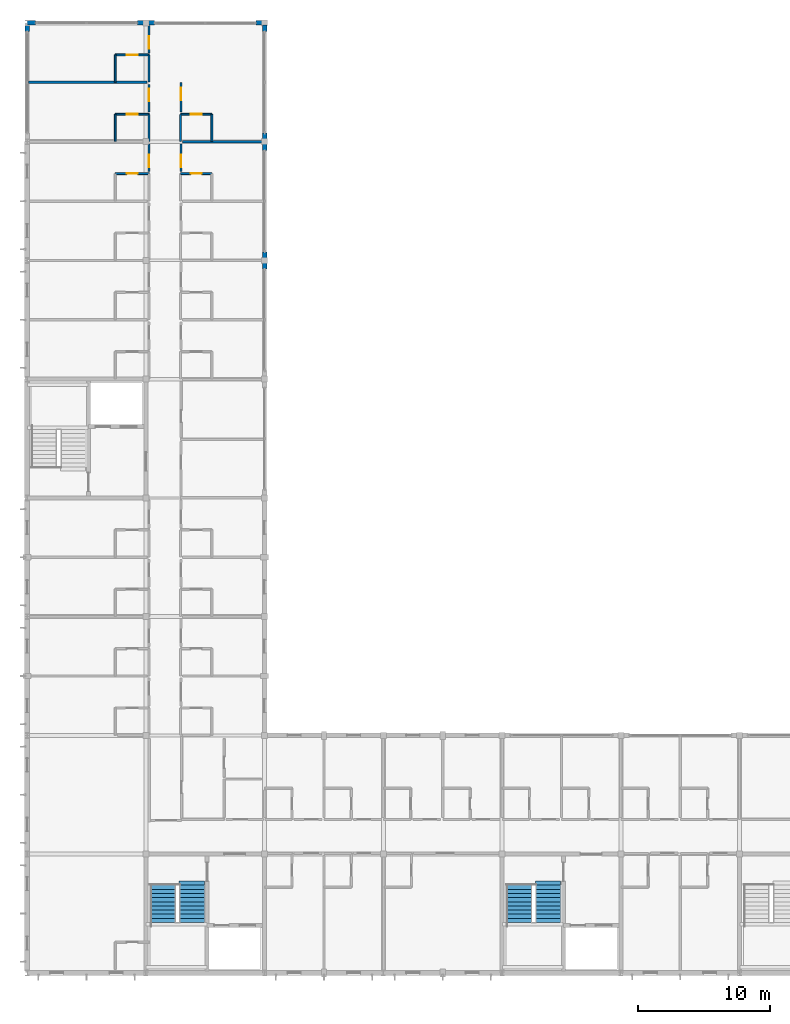
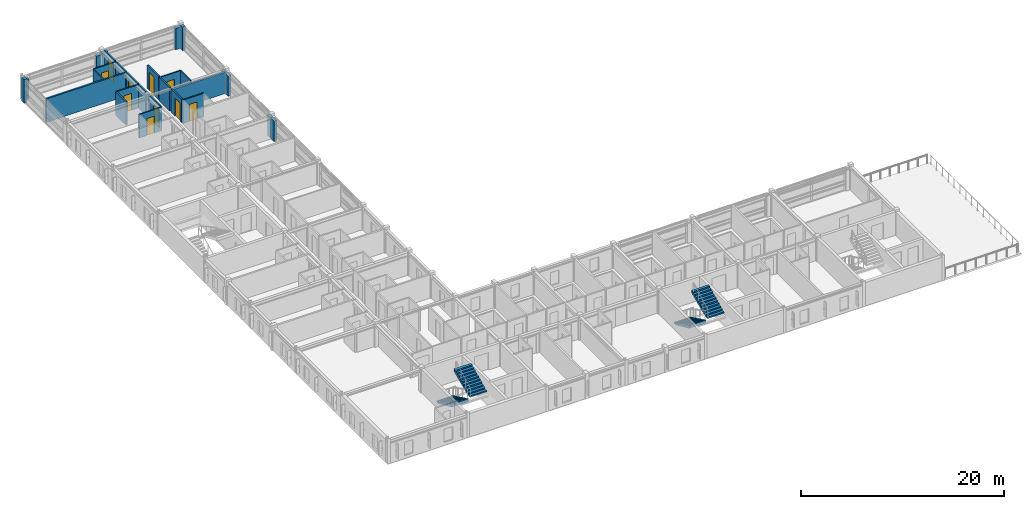
# One storey, part 16 of 24: 28 walls, 10 doors, 4 stair flights, 10 openings, 2 elements without a shape of their own.
"""IFC4 building model written with IfcOpenShell, lengths in metres."""

from ifc_helpers import new_model, si_unit, direction, frame, frame_2d, origin, place, context, subcontext, project, spatial, polyline, rectangle, outline, extrude, material, layer, layer_set, type_object, element, fill, aggregate, save


model = new_model("IFC4")

# Units and contexts
model_context = context("Model", 3, precision=1e-05, world=origin(), true_north=direction((0.0, 1.0)))
body_context = subcontext(model_context, "Body", "Model", "MODEL_VIEW")
ifc_project = project(units=[si_unit("LENGTHUNIT", "METRE"), si_unit("AREAUNIT", "SQUARE_METRE"), si_unit("VOLUMEUNIT", "CUBIC_METRE"), si_unit("PLANEANGLEUNIT", "RADIAN"), si_unit("MASSUNIT", "GRAM", prefix="KILO")], contexts=[model_context])

# Site, building, storey
site_placement = place(None, origin())
site = spatial("IfcSite", under=ifc_project, at=site_placement, CompositionType="ELEMENT")
building_placement = place(site_placement, origin())
building = spatial("IfcBuilding", under=site, at=building_placement, Name="Palais des Congres Ocreval", CompositionType="ELEMENT")
storey_placement = place(building_placement, frame((0.0, 0.0, 17.60009765625)))
storey = spatial("IfcBuildingStorey", under=building, at=storey_placement, Name="L05", CompositionType="ELEMENT", Elevation=17.60009765625)

# Wall, opening, door
ifc_material_1 = material(Name="Moisture-resistant gypsum board")
ifc_layer_1 = layer(ifc_material_1, 0.139892578125)
ifc_layer_set_1 = layer_set([ifc_layer_1], Name="Bathroom Plumbing Chase Wall 140 Gypsum (Moisture-resistant gypsum board)")
wall_type_1 = type_object("IfcWallType", Name="Bathroom Plumbing Chase Wall 140 Gypsum", PredefinedType="PLUMBINGWALL", material=ifc_layer_set_1)
wall_1_placement = place(storey_placement, frame((6.679931640625, 60.580078125, 0.0), z_axis=(0.0, 0.0, 1.0), x_axis=(1.0, 0.0, 0.0)))
wall_1 = element("IfcWall", 1, at=wall_1_placement, inside=storey, type_object=wall_type_1, Name="Bathroom Plumbing Wall PW03 L05", PredefinedType="PLUMBINGWALL", context=body_context, shape_type="SweptSolid", body=[
    extrude(rectangle(XDim=2.56005859375, YDim=0.139892578125, at=frame_2d((1.280029296875, 0.0))), origin(), (0.0, 0.0, 1.0), 2.81982421875),
])
opening_1_placement = place(wall_1_placement, frame((0.85498046875, 0.0, 0.0)))
opening_1 = element("IfcOpeningElement", 2, at=opening_1_placement, cuts=wall_1, Name="Opening D08", PredefinedType="OPENING", context=body_context, shape_type="SweptSolid", body=[
    extrude(rectangle(XDim=0.85009765625, YDim=2.0400390625, at=frame_2d((0.425048828125, 1.02001953125))), frame((0.0, 0.079833984375, 0.0), z_axis=(0.0, -1.0, 0.0), x_axis=(1.0, 0.0, 0.0)), (0.0, 0.0, 1.0), 0.159912109375),
])
ifc_material_2 = material(Name="Solid French oak", Category="wood")
door_type_1 = type_object("IfcDoorType", Name="En-Suite Bathroom Door 850x2040", OperationType="NOTDEFINED", PredefinedType="DOOR", material=ifc_material_2)
door_1_placement = place(opening_1_placement, origin())
door_1 = element("IfcDoor", 3, at=door_1_placement, inside=storey, type_object=door_type_1, Name="En-Suite Bathroom Door D08 L05", OperationType="SINGLE_SWING_RIGHT", OverallHeight=2.0400390625, OverallWidth=0.85009765625, PredefinedType="DOOR", context=body_context, shape_type="SweptSolid", body=[
    extrude(rectangle(XDim=0.85009765625, YDim=2.0400390625, at=frame_2d((0.425048828125, 1.02001953125))), frame((0.0, 0.02490234375, 0.0), z_axis=(0.0, -1.0, 0.0), x_axis=(1.0, 0.0, 0.0)), (0.0, 0.0, 1.0), 0.050048828125),
])
fill(opening_1, door_1)

wall_2_placement = place(storey_placement, frame((11.639892578125, 60.580078125, 0.0), z_axis=(0.0, 0.0, 1.0), x_axis=(1.0, 0.0, 0.0)))
wall_2 = element("IfcWall", 4, at=wall_2_placement, inside=storey, type_object=wall_type_1, Name="Bathroom Plumbing Wall PW03 L05", PredefinedType="PLUMBINGWALL", context=body_context, shape_type="SweptSolid", body=[
    extrude(rectangle(XDim=2.360107421875, YDim=0.139892578125, at=frame_2d((1.18017578125, 0.0))), origin(), (0.0, 0.0, 1.0), 2.81982421875),
])
opening_2_placement = place(wall_2_placement, frame((0.7548828125, 0.0, 0.0)))
opening_2 = element("IfcOpeningElement", 5, at=opening_2_placement, cuts=wall_2, Name="Opening D08", PredefinedType="OPENING", context=body_context, shape_type="SweptSolid", body=[
    extrude(rectangle(XDim=0.85009765625, YDim=2.0400390625, at=frame_2d((0.425048828125, 1.02001953125))), frame((0.0, 0.079833984375, 0.0), z_axis=(0.0, -1.0, 0.0), x_axis=(1.0, 0.0, 0.0)), (0.0, 0.0, 1.0), 0.159912109375),
])
door_2_placement = place(opening_2_placement, origin())
door_2 = element("IfcDoor", 6, at=door_2_placement, inside=storey, type_object=door_type_1, Name="En-Suite Bathroom Door D08 L05", OperationType="SINGLE_SWING_RIGHT", OverallHeight=2.0400390625, OverallWidth=0.85009765625, PredefinedType="DOOR", context=body_context, shape_type="SweptSolid", body=[
    extrude(rectangle(XDim=0.85009765625, YDim=2.0400390625, at=frame_2d((0.425048828125, 1.02001953125))), frame((0.0, 0.02490234375, 0.0), z_axis=(0.0, -1.0, 0.0), x_axis=(1.0, 0.0, 0.0)), (0.0, 0.0, 1.0), 0.050048828125),
])
fill(opening_2, door_2)

wall_3_placement = place(storey_placement, frame((6.679931640625, 65.080078125, 0.0), z_axis=(0.0, 0.0, 1.0), x_axis=(1.0, 0.0, 0.0)))
wall_3 = element("IfcWall", 7, at=wall_3_placement, inside=storey, type_object=wall_type_1, Name="Bathroom Plumbing Wall PW03 L05", PredefinedType="PLUMBINGWALL", context=body_context, shape_type="SweptSolid", body=[
    extrude(rectangle(XDim=2.56005859375, YDim=0.139892578125, at=frame_2d((1.280029296875, 0.0))), origin(), (0.0, 0.0, 1.0), 2.81982421875),
])
opening_3_placement = place(wall_3_placement, frame((0.85498046875, 0.0, 0.0)))
opening_3 = element("IfcOpeningElement", 8, at=opening_3_placement, cuts=wall_3, Name="Opening D08", PredefinedType="OPENING", context=body_context, shape_type="SweptSolid", body=[
    extrude(rectangle(XDim=0.85009765625, YDim=2.0400390625, at=frame_2d((0.425048828125, 1.02001953125))), frame((0.0, 0.079833984375, 0.0), z_axis=(0.0, -1.0, 0.0), x_axis=(1.0, 0.0, 0.0)), (0.0, 0.0, 1.0), 0.159912109375),
])
door_3_placement = place(opening_3_placement, origin())
door_3 = element("IfcDoor", 9, at=door_3_placement, inside=storey, type_object=door_type_1, Name="En-Suite Bathroom Door D08 L05", OperationType="SINGLE_SWING_LEFT", OverallHeight=2.0400390625, OverallWidth=0.85009765625, PredefinedType="DOOR", context=body_context, shape_type="SweptSolid", body=[
    extrude(rectangle(XDim=0.85009765625, YDim=2.0400390625, at=frame_2d((0.425048828125, 1.02001953125))), frame((0.0, 0.02490234375, 0.0), z_axis=(0.0, -1.0, 0.0), x_axis=(1.0, 0.0, 0.0)), (0.0, 0.0, 1.0), 0.050048828125),
])
fill(opening_3, door_3)

# Wall
wall_4_placement = place(storey_placement, frame((6.679931640625, 63.02001953125, 0.0), z_axis=(0.0, 0.0, 1.0), x_axis=(0.0, 1.0, 0.0)))
element("IfcWall", 10, at=wall_4_placement, inside=storey, type_object=wall_type_1, Name="Bathroom Plumbing Wall PW03 L05", PredefinedType="PLUMBINGWALL", context=body_context, shape_type="SweptSolid", body=[
    extrude(rectangle(XDim=2.06005859375, YDim=0.139892578125, at=frame_2d((1.030029296875, 0.0))), origin(), (0.0, 0.0, 1.0), 2.81982421875),
])

# Wall, opening, door
wall_5_placement = place(storey_placement, frame((6.679931640625, 69.580078125, 0.0), z_axis=(0.0, 0.0, 1.0), x_axis=(1.0, 0.0, 0.0)))
wall_5 = element("IfcWall", 11, at=wall_5_placement, inside=storey, type_object=wall_type_1, Name="Bathroom Plumbing Wall PW03 L05", PredefinedType="PLUMBINGWALL", context=body_context, shape_type="SweptSolid", body=[
    extrude(rectangle(XDim=2.56005859375, YDim=0.139892578125, at=frame_2d((1.280029296875, 0.0))), origin(), (0.0, 0.0, 1.0), 2.81982421875),
])
opening_4_placement = place(wall_5_placement, frame((0.85498046875, 0.0, 0.0)))
opening_4 = element("IfcOpeningElement", 12, at=opening_4_placement, cuts=wall_5, Name="Opening D08", PredefinedType="OPENING", context=body_context, shape_type="SweptSolid", body=[
    extrude(rectangle(XDim=0.85009765625, YDim=2.0400390625, at=frame_2d((0.425048828125, 1.02001953125))), frame((0.0, 0.079833984375, 0.0), z_axis=(0.0, -1.0, 0.0), x_axis=(1.0, 0.0, 0.0)), (0.0, 0.0, 1.0), 0.159912109375),
])
door_4_placement = place(opening_4_placement, origin())
door_4 = element("IfcDoor", 13, at=door_4_placement, inside=storey, type_object=door_type_1, Name="En-Suite Bathroom Door D08 L05", OperationType="SINGLE_SWING_RIGHT", OverallHeight=2.0400390625, OverallWidth=0.85009765625, PredefinedType="DOOR", context=body_context, shape_type="SweptSolid", body=[
    extrude(rectangle(XDim=0.85009765625, YDim=2.0400390625, at=frame_2d((0.425048828125, 1.02001953125))), frame((0.0, 0.02490234375, 0.0), z_axis=(0.0, -1.0, 0.0), x_axis=(1.0, 0.0, 0.0)), (0.0, 0.0, 1.0), 0.050048828125),
])
fill(opening_4, door_4)

# Wall
wall_6_placement = place(storey_placement, frame((6.679931640625, 67.52001953125, 0.0), z_axis=(0.0, 0.0, 1.0), x_axis=(0.0, 1.0, 0.0)))
element("IfcWall", 14, at=wall_6_placement, inside=storey, type_object=wall_type_1, Name="Bathroom Plumbing Wall PW03 L05", PredefinedType="PLUMBINGWALL", context=body_context, shape_type="SweptSolid", body=[
    extrude(rectangle(XDim=2.06005859375, YDim=0.139892578125, at=frame_2d((1.030029296875, 0.0))), origin(), (0.0, 0.0, 1.0), 2.81982421875),
])

# Wall, opening, door
wall_7_placement = place(storey_placement, frame((11.639892578125, 65.080078125, 0.0), z_axis=(0.0, 0.0, 1.0), x_axis=(1.0, 0.0, 0.0)))
wall_7 = element("IfcWall", 15, at=wall_7_placement, inside=storey, type_object=wall_type_1, Name="Bathroom Plumbing Wall PW03 L05", PredefinedType="PLUMBINGWALL", context=body_context, shape_type="SweptSolid", body=[
    extrude(rectangle(XDim=2.360107421875, YDim=0.139892578125, at=frame_2d((1.18017578125, 0.0))), origin(), (0.0, 0.0, 1.0), 2.81982421875),
])
opening_5_placement = place(wall_7_placement, frame((0.7548828125, 0.0, 0.0)))
opening_5 = element("IfcOpeningElement", 16, at=opening_5_placement, cuts=wall_7, Name="Opening D08", PredefinedType="OPENING", context=body_context, shape_type="SweptSolid", body=[
    extrude(rectangle(XDim=0.85009765625, YDim=2.0400390625, at=frame_2d((0.425048828125, 1.02001953125))), frame((0.0, 0.079833984375, 0.0), z_axis=(0.0, -1.0, 0.0), x_axis=(1.0, 0.0, 0.0)), (0.0, 0.0, 1.0), 0.159912109375),
])
door_5_placement = place(opening_5_placement, origin())
door_5 = element("IfcDoor", 17, at=door_5_placement, inside=storey, type_object=door_type_1, Name="En-Suite Bathroom Door D08 L05", OperationType="SINGLE_SWING_LEFT", OverallHeight=2.0400390625, OverallWidth=0.85009765625, PredefinedType="DOOR", context=body_context, shape_type="SweptSolid", body=[
    extrude(rectangle(XDim=0.85009765625, YDim=2.0400390625, at=frame_2d((0.425048828125, 1.02001953125))), frame((0.0, 0.02490234375, 0.0), z_axis=(0.0, -1.0, 0.0), x_axis=(1.0, 0.0, 0.0)), (0.0, 0.0, 1.0), 0.050048828125),
])
fill(opening_5, door_5)

# Walls
wall_8_placement = place(storey_placement, frame((14.0, 63.02001953125, 0.0), z_axis=(0.0, 0.0, 1.0), x_axis=(0.0, 1.0, 0.0)))
element("IfcWall", 18, at=wall_8_placement, inside=storey, type_object=wall_type_1, Name="Bathroom Plumbing Wall PW03 L05", PredefinedType="PLUMBINGWALL", context=body_context, shape_type="SweptSolid", body=[
    extrude(rectangle(XDim=2.06005859375, YDim=0.139892578125, at=frame_2d((1.030029296875, 0.0))), origin(), (0.0, 0.0, 1.0), 2.81982421875),
])
ifc_material_3 = material(Name="Gypsum acoustic partition")
ifc_layer_2 = layer(ifc_material_3, 0.159912109375)
ifc_layer_set_2 = layer_set([ifc_layer_2], Name="Corridor Fire Partition 160 Gypsum (Gypsum acoustic partition)")
wall_type_2 = type_object("IfcWallType", Name="Corridor Fire Partition 160 Gypsum", PredefinedType="PARTITIONING", material=ifc_layer_set_2)
for number, where, z_axis, x_axis, name in (
    (19, (9.239990234375, 63.02001953125, 0.0), (0.0, 0.0, 1.0), (0.0, 1.0, 0.0), "Corridor Partition IW03 L05"),
    (20, (9.239990234375, 67.52001953125, 0.0), (0.0, 0.0, 1.0), (0.0, 1.0, 0.0), "Corridor Partition IW03 L05"),
    (21, (11.639892578125, 63.02001953125, 0.0), (0.0, 0.0, 1.0), (0.0, 1.0, 0.0), "Corridor Partition IW03 L05"),
):
    element("IfcWall", number, at=place(storey_placement, frame(where, z_axis=z_axis, x_axis=x_axis)), inside=storey, type_object=wall_type_2, Name=name, PredefinedType="PARTITIONING", context=body_context, shape_type="SweptSolid", body=[
        extrude(rectangle(XDim=2.06005859375, YDim=0.159912109375, at=frame_2d((1.030029296875, 0.0))), origin(), (0.0, 0.0, 1.0), 2.81982421875),
    ])

# Wall, opening, door
wall_9_placement = place(storey_placement, frame((9.25, 60.735107421875, 0.0), z_axis=(0.0, 0.0, 1.0), x_axis=(0.0, 1.0, 0.0)))
wall_9 = element("IfcWall", 22, at=wall_9_placement, inside=storey, type_object=wall_type_2, Name="Interior Partition IW03 L05", PredefinedType="PARTITIONING", context=body_context, shape_type="SweptSolid", body=[
    extrude(rectangle(XDim=2.10986328125, YDim=0.159912109375, at=frame_2d((1.054931640625, 0.0))), origin(), (0.0, 0.0, 1.0), 2.81982421875),
])
opening_6_placement = place(wall_9_placement, frame((0.326904296875, 0.0, 0.0)))
opening_6 = element("IfcOpeningElement", 23, at=opening_6_placement, cuts=wall_9, Name="Opening D05", PredefinedType="OPENING", context=body_context, shape_type="SweptSolid", body=[
    extrude(rectangle(XDim=0.949951171875, YDim=2.14990234375, at=frame_2d((0.47509765625, 1.074951171875))), frame((0.0, 0.08984375, 0.0), z_axis=(0.0, -1.0, 0.0), x_axis=(1.0, 0.0, 0.0)), (0.0, 0.0, 1.0), 0.179931640625),
])
door_type_2 = type_object("IfcDoorType", Name="Hotel Guestroom Entrance Door 950x2150", OperationType="NOTDEFINED", PredefinedType="DOOR", material=ifc_material_2)
door_6_placement = place(opening_6_placement, origin())
door_6 = element("IfcDoor", 24, at=door_6_placement, inside=storey, type_object=door_type_2, Name="Interior Door D05 L05", OperationType="SINGLE_SWING_RIGHT", OverallHeight=2.14990234375, OverallWidth=0.949951171875, PredefinedType="DOOR", context=body_context, shape_type="SweptSolid", body=[
    extrude(rectangle(XDim=0.949951171875, YDim=2.14990234375, at=frame_2d((0.47509765625, 1.074951171875))), frame((0.0, 0.02490234375, 0.0), z_axis=(0.0, -1.0, 0.0), x_axis=(1.0, 0.0, 0.0)), (0.0, 0.0, 1.0), 0.050048828125),
])
fill(opening_6, door_6)

wall_10_placement = place(storey_placement, frame((11.669921875, 60.735107421875, 0.0), z_axis=(0.0, 0.0, 1.0), x_axis=(0.0, 1.0, 0.0)))
wall_10 = element("IfcWall", 25, at=wall_10_placement, inside=storey, type_object=wall_type_2, Name="Interior Partition IW03 L05", PredefinedType="PARTITIONING", context=body_context, shape_type="SweptSolid", body=[
    extrude(rectangle(XDim=2.10986328125, YDim=0.159912109375, at=frame_2d((1.054931640625, 0.0))), origin(), (0.0, 0.0, 1.0), 2.81982421875),
])
opening_7_placement = place(wall_10_placement, frame((0.326904296875, 0.0, 0.0)))
opening_7 = element("IfcOpeningElement", 26, at=opening_7_placement, cuts=wall_10, Name="Opening D05", PredefinedType="OPENING", context=body_context, shape_type="SweptSolid", body=[
    extrude(rectangle(XDim=0.949951171875, YDim=2.14990234375, at=frame_2d((0.47509765625, 1.074951171875))), frame((0.0, 0.08984375, 0.0), z_axis=(0.0, -1.0, 0.0), x_axis=(1.0, 0.0, 0.0)), (0.0, 0.0, 1.0), 0.179931640625),
])
door_7_placement = place(opening_7_placement, origin())
door_7 = element("IfcDoor", 27, at=door_7_placement, inside=storey, type_object=door_type_2, Name="Interior Door D05 L05", OperationType="SINGLE_SWING_RIGHT", OverallHeight=2.14990234375, OverallWidth=0.949951171875, PredefinedType="DOOR", context=body_context, shape_type="SweptSolid", body=[
    extrude(rectangle(XDim=0.949951171875, YDim=2.14990234375, at=frame_2d((0.47509765625, 1.074951171875))), frame((0.0, 0.02490234375, 0.0), z_axis=(0.0, -1.0, 0.0), x_axis=(1.0, 0.0, 0.0)), (0.0, 0.0, 1.0), 0.050048828125),
])
fill(opening_7, door_7)

wall_11_placement = place(storey_placement, frame((9.25, 65.235107421875, 0.0), z_axis=(0.0, 0.0, 1.0), x_axis=(0.0, 1.0, 0.0)))
wall_11 = element("IfcWall", 28, at=wall_11_placement, inside=storey, type_object=wall_type_2, Name="Interior Partition IW03 L05", PredefinedType="PARTITIONING", context=body_context, shape_type="SweptSolid", body=[
    extrude(rectangle(XDim=2.10986328125, YDim=0.159912109375, at=frame_2d((1.054931640625, 0.0))), origin(), (0.0, 0.0, 1.0), 2.81982421875),
])
opening_8_placement = place(wall_11_placement, frame((0.833251953125, 0.0, 0.0)))
opening_8 = element("IfcOpeningElement", 29, at=opening_8_placement, cuts=wall_11, Name="Opening D05", PredefinedType="OPENING", context=body_context, shape_type="SweptSolid", body=[
    extrude(rectangle(XDim=0.949951171875, YDim=2.14990234375, at=frame_2d((0.47509765625, 1.074951171875))), frame((0.0, 0.08984375, 0.0), z_axis=(0.0, -1.0, 0.0), x_axis=(1.0, 0.0, 0.0)), (0.0, 0.0, 1.0), 0.179931640625),
])
door_8_placement = place(opening_8_placement, origin())
door_8 = element("IfcDoor", 30, at=door_8_placement, inside=storey, type_object=door_type_2, Name="Interior Door D05 L05", OperationType="SINGLE_SWING_LEFT", OverallHeight=2.14990234375, OverallWidth=0.949951171875, PredefinedType="DOOR", context=body_context, shape_type="SweptSolid", body=[
    extrude(rectangle(XDim=0.949951171875, YDim=2.14990234375, at=frame_2d((0.47509765625, 1.074951171875))), frame((0.0, 0.02490234375, 0.0), z_axis=(0.0, -1.0, 0.0), x_axis=(1.0, 0.0, 0.0)), (0.0, 0.0, 1.0), 0.050048828125),
])
fill(opening_8, door_8)

wall_12_placement = place(storey_placement, frame((9.25, 69.735107421875, 0.0), z_axis=(0.0, 0.0, 1.0), x_axis=(0.0, 1.0, 0.0)))
wall_12 = element("IfcWall", 31, at=wall_12_placement, inside=storey, type_object=wall_type_2, Name="Interior Partition IW03 L05", PredefinedType="PARTITIONING", context=body_context, shape_type="SweptSolid", body=[
    extrude(rectangle(XDim=2.08984375, YDim=0.159912109375, at=frame_2d((1.044921875, 0.0))), origin(), (0.0, 0.0, 1.0), 2.81982421875),
])
opening_9_placement = place(wall_12_placement, frame((0.319091796875, 0.0, 0.0)))
opening_9 = element("IfcOpeningElement", 32, at=opening_9_placement, cuts=wall_12, Name="Opening D05", PredefinedType="OPENING", context=body_context, shape_type="SweptSolid", body=[
    extrude(rectangle(XDim=0.949951171875, YDim=2.14990234375, at=frame_2d((0.47509765625, 1.074951171875))), frame((0.0, 0.08984375, 0.0), z_axis=(0.0, -1.0, 0.0), x_axis=(1.0, 0.0, 0.0)), (0.0, 0.0, 1.0), 0.179931640625),
])
door_9_placement = place(opening_9_placement, origin())
door_9 = element("IfcDoor", 33, at=door_9_placement, inside=storey, type_object=door_type_2, Name="Interior Door D05 L05", OperationType="SINGLE_SWING_RIGHT", OverallHeight=2.14990234375, OverallWidth=0.949951171875, PredefinedType="DOOR", context=body_context, shape_type="SweptSolid", body=[
    extrude(rectangle(XDim=0.949951171875, YDim=2.14990234375, at=frame_2d((0.47509765625, 1.074951171875))), frame((0.0, 0.02490234375, 0.0), z_axis=(0.0, -1.0, 0.0), x_axis=(1.0, 0.0, 0.0)), (0.0, 0.0, 1.0), 0.050048828125),
])
fill(opening_9, door_9)

wall_13_placement = place(storey_placement, frame((11.669921875, 65.235107421875, 0.0), z_axis=(0.0, 0.0, 1.0), x_axis=(0.0, 1.0, 0.0)))
wall_13 = element("IfcWall", 34, at=wall_13_placement, inside=storey, type_object=wall_type_2, Name="Interior Partition IW03 L05", PredefinedType="PARTITIONING", context=body_context, shape_type="SweptSolid", body=[
    extrude(rectangle(XDim=2.244873046875, YDim=0.159912109375, at=frame_2d((1.12255859375, 0.0))), origin(), (0.0, 0.0, 1.0), 2.81982421875),
])
opening_10_placement = place(wall_13_placement, frame((0.9169921875, 0.0, 0.0)))
opening_10 = element("IfcOpeningElement", 35, at=opening_10_placement, cuts=wall_13, Name="Opening D05", PredefinedType="OPENING", context=body_context, shape_type="SweptSolid", body=[
    extrude(rectangle(XDim=0.949951171875, YDim=2.14990234375, at=frame_2d((0.47509765625, 1.074951171875))), frame((0.0, 0.08984375, 0.0), z_axis=(0.0, -1.0, 0.0), x_axis=(1.0, 0.0, 0.0)), (0.0, 0.0, 1.0), 0.179931640625),
])
door_10_placement = place(opening_10_placement, origin())
door_10 = element("IfcDoor", 36, at=door_10_placement, inside=storey, type_object=door_type_2, Name="Interior Door D05 L05", OperationType="SINGLE_SWING_LEFT", OverallHeight=2.14990234375, OverallWidth=0.949951171875, PredefinedType="DOOR", context=body_context, shape_type="SweptSolid", body=[
    extrude(rectangle(XDim=0.949951171875, YDim=2.14990234375, at=frame_2d((0.47509765625, 1.074951171875))), frame((0.0, 0.02490234375, 0.0), z_axis=(0.0, -1.0, 0.0), x_axis=(1.0, 0.0, 0.0)), (0.0, 0.0, 1.0), 0.050048828125),
])
fill(opening_10, door_10)

# Walls
ifc_layer_3 = layer(ifc_material_3, 0.179931640625)
ifc_layer_set_3 = layer_set([ifc_layer_3], Name="Hotel Inter-Room Acoustic Partition 180 Gypsum (Gypsum acoustic partition)")
wall_type_3 = type_object("IfcWallType", Name="Hotel Inter-Room Acoustic Partition 180 Gypsum", PredefinedType="PARTITIONING", material=ifc_layer_set_3)
wall_14_placement = place(storey_placement, frame((11.794921875, 63.0, 0.0), z_axis=(0.0, 0.0, 1.0), x_axis=(1.0, 0.0, 0.0)))
element("IfcWall", 37, at=wall_14_placement, inside=storey, type_object=wall_type_3, Name="Hotel Party Partition IW02 L05", PredefinedType="PARTITIONING", context=body_context, shape_type="SweptSolid", body=[
    extrude(rectangle(XDim=6.030029296875, YDim=0.179931640625, at=frame_2d((3.01513671875, 0.0))), origin(), (0.0, 0.0, 1.0), 2.5498046875),
])
wall_15_placement = place(storey_placement, frame((0.094970703125, 67.5, 0.0), z_axis=(0.0, 0.0, 1.0), x_axis=(1.0, 0.0, 0.0)))
element("IfcWall", 38, at=wall_15_placement, inside=storey, type_object=wall_type_3, Name="Hotel Party Partition IW02 L05", PredefinedType="PARTITIONING", context=body_context, shape_type="SweptSolid", body=[
    extrude(rectangle(XDim=8.989990234375, YDim=0.179931640625, at=frame_2d((4.4951171875, 0.0))), origin(), (0.0, 0.0, 1.0), 2.81982421875),
])
ifc_material_4 = material(Name="Concrete C40/50", Category="concrete")
ifc_layer_4 = layer(ifc_material_4, 0.340087890625)
ifc_layer_set_4 = layer_set([ifc_layer_4], Name="Ochre Mineral-Lime Courtyard Wall 340 Concrete C40/50")
wall_type_4 = type_object("IfcWallType", Name="Ochre Mineral-Lime Courtyard Wall 340 Concrete C40/50", PredefinedType="SOLIDWALL", material=ifc_layer_set_4)
wall_16_placement = place(storey_placement, frame((0.0, 71.35009765625, 0.0), z_axis=(0.0, 0.0, 1.0), x_axis=(0.0, 1.0, 0.0)))
element("IfcWall", 39, at=wall_16_placement, inside=storey, type_object=wall_type_4, Name="Facade Pier EW04 L05", PredefinedType="SOLIDWALL", context=body_context, shape_type="SweptSolid", body=[
    extrude(rectangle(XDim=0.494873046875, YDim=0.340087890625, at=frame_2d((0.24755859375, 0.0))), origin(), (0.0, 0.0, 1.0), 2.81982421875),
])
for number, where, z_axis, x_axis, name in (
    (40, (0.0, 72.0, 0.0), (0.0, 0.0, 1.0), (1.0, 0.0, 0.0), "Facade Pier EW04 L05"),
    (41, (8.35009765625, 72.0, 0.0), (0.0, 0.0, 1.0), (1.0, 0.0, 0.0), "Facade Pier EW04 L05"),
):
    element("IfcWall", number, at=place(storey_placement, frame(where, z_axis=z_axis, x_axis=x_axis)), inside=storey, type_object=wall_type_4, Name=name, PredefinedType="SOLIDWALL", context=body_context, shape_type="SweptSolid", body=[
        extrude(rectangle(XDim=0.64990234375, YDim=0.340087890625, at=frame_2d((0.324951171875, 0.0))), origin(), (0.0, 0.0, 1.0), 2.3798828125),
    ])
for number, where, z_axis, x_axis, name in (
    (42, (9.0, 72.0, 0.0), (0.0, 0.0, 1.0), (1.0, 0.0, 0.0), "Facade Pier EW04 L05"),
    (43, (17.35009765625, 72.0, 0.0), (0.0, 0.0, 1.0), (1.0, 0.0, 0.0), "Facade Pier EW04 L05"),
):
    element("IfcWall", number, at=place(storey_placement, frame(where, z_axis=z_axis, x_axis=x_axis)), inside=storey, type_object=wall_type_4, Name=name, PredefinedType="SOLIDWALL", context=body_context, shape_type="SweptSolid", body=[
        extrude(rectangle(XDim=0.64990234375, YDim=0.340087890625, at=frame_2d((0.324951171875, 0.0))), origin(), (0.0, 0.0, 1.0), 2.5498046875),
    ])
wall_17_placement = place(storey_placement, frame((18.0, 71.844970703125, 0.0), z_axis=(0.0, 0.0, 1.0), x_axis=(0.0, -1.0, 0.0)))
element("IfcWall", 44, at=wall_17_placement, inside=storey, type_object=wall_type_4, Name="Facade Pier EW04 L05", PredefinedType="SOLIDWALL", context=body_context, shape_type="SweptSolid", body=[
    extrude(rectangle(XDim=0.494873046875, YDim=0.340087890625, at=frame_2d((0.24755859375, 0.0))), origin(), (0.0, 0.0, 1.0), 2.81982421875),
])
wall_18_placement = place(storey_placement, frame((18.0, 63.64990234375, 0.0), z_axis=(0.0, 0.0, 1.0), x_axis=(0.0, -1.0, 0.0)))
element("IfcWall", 45, at=wall_18_placement, inside=storey, type_object=wall_type_4, Name="Facade Pier EW04 L05", PredefinedType="SOLIDWALL", context=body_context, shape_type="SweptSolid", body=[
    extrude(rectangle(XDim=0.64990234375, YDim=0.340087890625, at=frame_2d((0.324951171875, 0.0))), origin(), (0.0, 0.0, 1.0), 2.3798828125),
])
for number, where, z_axis, x_axis, name in (
    (46, (18.0, 63.0, 0.0), (0.0, 0.0, 1.0), (0.0, -1.0, 0.0), "Facade Pier EW04 L05"),
    (47, (18.0, 54.64990234375, 0.0), (0.0, 0.0, 1.0), (0.0, -1.0, 0.0), "Facade Pier EW04 L05"),
):
    element("IfcWall", number, at=place(storey_placement, frame(where, z_axis=z_axis, x_axis=x_axis)), inside=storey, type_object=wall_type_4, Name=name, PredefinedType="SOLIDWALL", context=body_context, shape_type="SweptSolid", body=[
        extrude(rectangle(XDim=0.64990234375, YDim=0.340087890625, at=frame_2d((0.324951171875, 0.0))), origin(), (0.0, 0.0, 1.0), 2.419921875),
    ])
wall_19_placement = place(storey_placement, frame((18.0, 54.0, 0.0), z_axis=(0.0, 0.0, 1.0), x_axis=(0.0, -1.0, 0.0)))
element("IfcWall", 48, at=wall_19_placement, inside=storey, type_object=wall_type_4, Name="Facade Pier EW04 L05", PredefinedType="SOLIDWALL", context=body_context, shape_type="SweptSolid", body=[
    extrude(rectangle(XDim=0.64990234375, YDim=0.340087890625, at=frame_2d((0.324951171875, 0.0))), origin(), (0.0, 0.0, 1.0), 2.47998046875),
])

# Stair, stair flights
stair_type = type_object("IfcStairType", Name="Hotel Core Stair L03-L06 1900 Concrete C40/50", PredefinedType="HALF_TURN_STAIR", material=ifc_material_4)
stair_1_placement = place(storey_placement, origin())
stair_1 = element("IfcStair", 49, at=stair_1_placement, inside=storey, type_object=stair_type, Name="Protected Core Stair ST01 L05", PredefinedType="HALF_TURN_STAIR")
stair_flight_type = type_object("IfcStairFlightType", Name="Hotel Stair Flight 10R x 152/295 W1900 Concrete C40/50", PredefinedType="STRAIGHT", material=ifc_material_4)
stair_flight_1_placement = place(storey_placement, frame((10.320068359375, 6.64990234375, 0.0), z_axis=(0.0, 0.0, 1.0), x_axis=(0.0, -1.0, 0.0)))
stair_flight_1 = element("IfcStairFlight", 50, at=stair_flight_1_placement, type_object=stair_flight_type, Name="Stair ST01 L05 Flight 1", NumberOfRisers=10, NumberOfTreads=9, PredefinedType="STRAIGHT", RiserHeight=0.152, TreadLength=0.315, context=body_context, shape_type="SweptSolid", body=[
    extrude(outline(polyline([(-0.006103515625, 0.0), (-0.006103515625, 0.075927734375), (0.0, 0.152099609375), (0.31494140625, 0.152099609375), (0.31494140625, 0.303955078125), (0.6298828125, 0.303955078125), (0.6298828125, 0.4560546875), (0.945068359375, 0.4560546875), (0.945068359375, 0.60791015625), (1.260009765625, 0.60791015625), (1.260009765625, 0.760009765625), (1.574951171875, 0.760009765625), (1.574951171875, 0.912109375), (1.889892578125, 0.912109375), (1.889892578125, 1.06396484375), (2.205078125, 1.06396484375), (2.205078125, 1.216064453125), (2.52001953125, 1.216064453125), (2.52001953125, 1.367919921875), (2.8349609375, 1.367919921875), (2.8349609375, 1.52001953125), (2.9951171875, 1.52001953125), (2.9951171875, 1.1904296875), (0.367919921875, 0.0), (-0.006103515625, 0.0)])), frame((0.0, 0.949951171875, 0.0), z_axis=(0.0, -1.0, 0.0), x_axis=(1.0, 0.0, 0.0)), (0.0, 0.0, 1.0), 1.89990234375),
])
stair_flight_2_placement = place(storey_placement, frame((12.47998046875, 3.81494140625, 1.52001953125), z_axis=(0.0, 0.0, 1.0), x_axis=(0.0, 1.0, 0.0)))
stair_flight_2 = element("IfcStairFlight", 51, at=stair_flight_2_placement, type_object=stair_flight_type, Name="Stair ST01 L05 Flight 2", NumberOfRisers=10, NumberOfTreads=9, PredefinedType="STRAIGHT", RiserHeight=0.152, TreadLength=0.315, context=body_context, shape_type="SweptSolid", body=[
    extrude(outline(polyline([(-0.006103515625, 0.0), (-0.006103515625, 0.075927734375), (0.0, 0.152099609375), (0.31494140625, 0.152099609375), (0.31494140625, 0.303955078125), (0.6298828125, 0.303955078125), (0.6298828125, 0.4560546875), (0.945068359375, 0.4560546875), (0.945068359375, 0.60791015625), (1.260009765625, 0.60791015625), (1.260009765625, 0.760009765625), (1.574951171875, 0.760009765625), (1.574951171875, 0.912109375), (1.889892578125, 0.912109375), (1.889892578125, 1.06396484375), (2.205078125, 1.06396484375), (2.205078125, 1.216064453125), (2.52001953125, 1.216064453125), (2.52001953125, 1.367919921875), (2.8349609375, 1.367919921875), (2.8349609375, 1.52001953125), (3.14990234375, 1.52001953125), (3.14990234375, 1.1904296875), (0.367919921875, 0.0), (-0.006103515625, 0.0)])), frame((0.0, 0.949951171875, 0.0), z_axis=(0.0, -1.0, 0.0), x_axis=(1.0, 0.0, 0.0)), (0.0, 0.0, 1.0), 1.89990234375),
])
aggregate(stair_1, [stair_flight_1, stair_flight_2])

stair_2_placement = place(storey_placement, origin())
stair_2 = element("IfcStair", 52, at=stair_2_placement, inside=storey, type_object=stair_type, Name="Protected Core Stair ST02 L05", PredefinedType="HALF_TURN_STAIR")
stair_flight_3_placement = place(storey_placement, frame((37.320068359375, 6.64990234375, 0.0), z_axis=(0.0, 0.0, 1.0), x_axis=(0.0, -1.0, 0.0)))
stair_flight_3 = element("IfcStairFlight", 53, at=stair_flight_3_placement, type_object=stair_flight_type, Name="Stair ST02 L05 Flight 1", NumberOfRisers=10, NumberOfTreads=9, PredefinedType="STRAIGHT", RiserHeight=0.152, TreadLength=0.315, context=body_context, shape_type="SweptSolid", body=[
    extrude(outline(polyline([(-0.006103515625, 0.0), (-0.006103515625, 0.075927734375), (0.0, 0.152099609375), (0.31494140625, 0.152099609375), (0.31494140625, 0.303955078125), (0.6298828125, 0.303955078125), (0.6298828125, 0.4560546875), (0.945068359375, 0.4560546875), (0.945068359375, 0.60791015625), (1.260009765625, 0.60791015625), (1.260009765625, 0.760009765625), (1.574951171875, 0.760009765625), (1.574951171875, 0.912109375), (1.889892578125, 0.912109375), (1.889892578125, 1.06396484375), (2.205078125, 1.06396484375), (2.205078125, 1.216064453125), (2.52001953125, 1.216064453125), (2.52001953125, 1.367919921875), (2.8349609375, 1.367919921875), (2.8349609375, 1.52001953125), (2.9951171875, 1.52001953125), (2.9951171875, 1.1904296875), (0.367919921875, 0.0), (-0.006103515625, 0.0)])), frame((0.0, 0.949951171875, 0.0), z_axis=(0.0, -1.0, 0.0), x_axis=(1.0, 0.0, 0.0)), (0.0, 0.0, 1.0), 1.89990234375),
])
stair_flight_4_placement = place(storey_placement, frame((39.47998046875, 3.81494140625, 1.52001953125), z_axis=(0.0, 0.0, 1.0), x_axis=(0.0, 1.0, 0.0)))
stair_flight_4 = element("IfcStairFlight", 54, at=stair_flight_4_placement, type_object=stair_flight_type, Name="Stair ST02 L05 Flight 2", NumberOfRisers=10, NumberOfTreads=9, PredefinedType="STRAIGHT", RiserHeight=0.152, TreadLength=0.315, context=body_context, shape_type="SweptSolid", body=[
    extrude(outline(polyline([(-0.006103515625, 0.0), (-0.006103515625, 0.075927734375), (0.0, 0.152099609375), (0.31494140625, 0.152099609375), (0.31494140625, 0.303955078125), (0.6298828125, 0.303955078125), (0.6298828125, 0.4560546875), (0.945068359375, 0.4560546875), (0.945068359375, 0.60791015625), (1.260009765625, 0.60791015625), (1.260009765625, 0.760009765625), (1.574951171875, 0.760009765625), (1.574951171875, 0.912109375), (1.889892578125, 0.912109375), (1.889892578125, 1.06396484375), (2.205078125, 1.06396484375), (2.205078125, 1.216064453125), (2.52001953125, 1.216064453125), (2.52001953125, 1.367919921875), (2.8349609375, 1.367919921875), (2.8349609375, 1.52001953125), (3.14990234375, 1.52001953125), (3.14990234375, 1.1904296875), (0.367919921875, 0.0), (-0.006103515625, 0.0)])), frame((0.0, 0.949951171875, 0.0), z_axis=(0.0, -1.0, 0.0), x_axis=(1.0, 0.0, 0.0)), (0.0, 0.0, 1.0), 1.89990234375),
])
aggregate(stair_2, [stair_flight_3, stair_flight_4])

save(model, "model.ifc")
